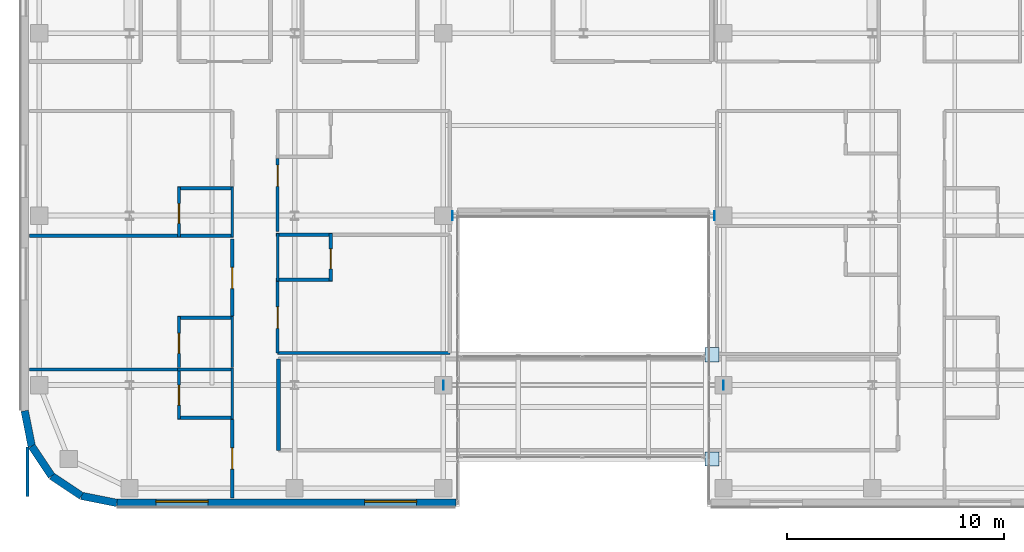
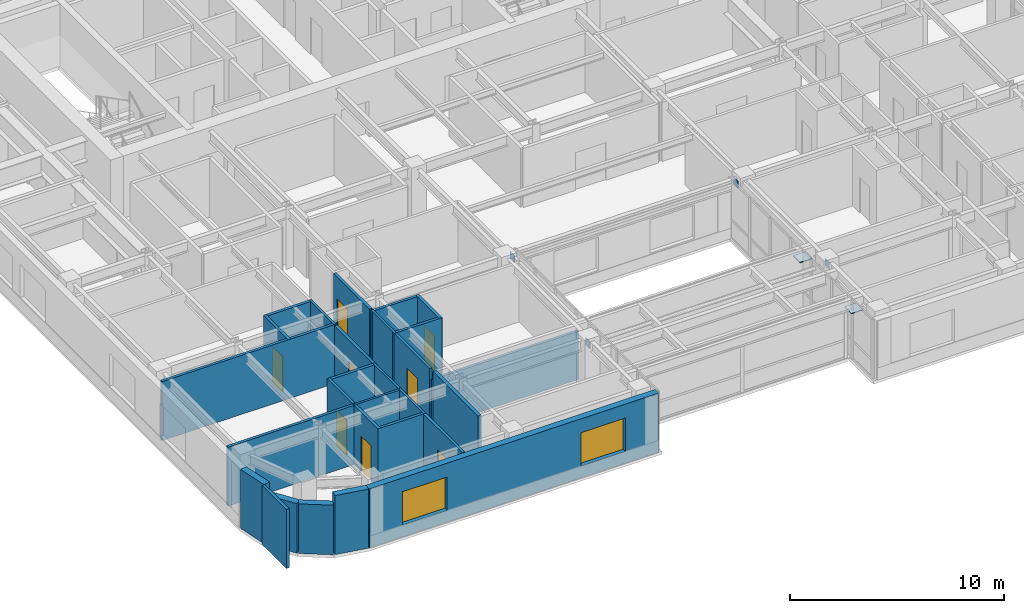
# One storey, part 15 of 26: 28 walls, 8 doors, 6 plates, 2 windows, 10 openings.
"""IFC4 building model written with IfcOpenShell, lengths in metres."""

from ifc_helpers import new_model, si_unit, direction, frame, frame_2d, origin, origin_2d, place, context, subcontext, project, spatial, rectangle, extrude, source, transform, mapped, material, layer, layer_set, type_object, type_shapes, element, fill, save


model = new_model("IFC4")

# Units and contexts
model_context = context("Model", 3, precision=1e-05, world=origin(), true_north=direction((0.0, 1.0)))
body_context = subcontext(model_context, "Body", "Model", "MODEL_VIEW")
ifc_project = project(units=[si_unit("LENGTHUNIT", "METRE"), si_unit("AREAUNIT", "SQUARE_METRE"), si_unit("VOLUMEUNIT", "CUBIC_METRE"), si_unit("PLANEANGLEUNIT", "RADIAN"), si_unit("MASSUNIT", "GRAM", prefix="KILO")], contexts=[model_context])

# Site, building, storey
site_placement = place(None, origin())
site = spatial("IfcSite", under=ifc_project, at=site_placement, CompositionType="ELEMENT")
building_placement = place(site_placement, origin())
building = spatial("IfcBuilding", under=site, at=building_placement, Name="Tolvann Quenvar Hotel", CompositionType="ELEMENT")
storey_placement = place(building_placement, frame((0.0, 0.0, 168.35009765625)))
storey = spatial("IfcBuildingStorey", under=building, at=storey_placement, Name="L44", CompositionType="ELEMENT", Elevation=168.35009765625)

# Plates
ifc_material_1 = material(Name="Steel Grade 350", Category="steel")
ifc_layer_1 = layer(ifc_material_1, 0.050048828125)
ifc_layer_set_1 = layer_set([ifc_layer_1], Name="Steel Grade 350")
plate_type_1 = type_object("IfcPlateType", Name="PLT_BASE_50", PredefinedType="SHEET", material=ifc_layer_set_1)
shared_shape_1 = source(origin(), body_context, "Body", "SweptSolid", [
    extrude(rectangle(XDim=0.64990234375, YDim=0.64990234375, at=origin_2d()), origin(), (0.0, 0.0, 1.0), 0.050048828125),
])
type_shapes(plate_type_1, [shared_shape_1])
for number, where, z_axis, x_axis, name in (
    (1, (34.425048828125, 4.800048828125, 2.7080078125), (0.0, 0.0, 1.0), (1.0, 0.0, 0.0), "Skybridge PTFE Sliding Bearing Seat Plate 650mm (L45-S)"),
    (2, (34.425048828125, 9.60009765625, 2.7080078125), (0.0, 0.0, 1.0), (1.0, 0.0, 0.0), "Skybridge PTFE Sliding Bearing Seat Plate 650mm (L45-N)"),
):
    element("IfcPlate", number, at=place(storey_placement, frame(where, z_axis=z_axis, x_axis=x_axis)), inside=storey, type_object=plate_type_1, Name=name, PredefinedType="SHEET", context=body_context, shape_type="MappedRepresentation", body=[
        mapped(shared_shape_1, transform((0.0, 0.0, 0.0), x_axis=(1.0, 0.0, 0.0), y_axis=(0.0, 1.0, 0.0), z_axis=(0.0, 0.0, 1.0), scale=1.0)),
    ])
ifc_layer_2 = layer(ifc_material_1, 0.02490234375)
ifc_layer_set_2 = layer_set([ifc_layer_2], Name="Steel Grade 350")
plate_type_2 = type_object("IfcPlateType", Name="PLT_ENDCAP_25", PredefinedType="SHEET", material=ifc_layer_set_2)
shared_shape_2 = source(origin(), body_context, "Body", "SweptSolid", [
    extrude(rectangle(XDim=0.02490234375, YDim=0.419921875, at=origin_2d()), origin(), (0.0, 0.0, 1.0), 0.419921875),
])
type_shapes(plate_type_2, [shared_shape_2])
for number, where, z_axis, x_axis, name in (
    (3, (22.050048828125, 8.199951171875, 2.81005859375), (0.0, 0.0, 1.0), (1.0, 0.0, 0.0), "Skybridge Tie End Plate EC-1 (L44-1)"),
    (4, (22.465087890625, 16.0, 2.85986328125), (0.0, 0.0, 1.0), (1.0, 0.0, 0.0), "Atrium Girt End Plate EC-1 (L44-1)"),
    (5, (34.949951171875, 8.199951171875, 2.81005859375), (0.0, 0.0, 1.0), (1.0, 0.0, 0.0), "Skybridge Tie End Plate EC-1 (L44-2)"),
    (6, (34.534912109375, 16.0, 2.85986328125), (0.0, 0.0, 1.0), (1.0, 0.0, 0.0), "Atrium Girt End Plate EC-1 (L44-2)"),
):
    element("IfcPlate", number, at=place(storey_placement, frame(where, z_axis=z_axis, x_axis=x_axis)), inside=storey, type_object=plate_type_2, Name=name, PredefinedType="SHEET", context=body_context, shape_type="MappedRepresentation", body=[
        mapped(shared_shape_2, transform((0.0, 0.0, 0.0), x_axis=(1.0, 0.0, 0.0), y_axis=(0.0, 1.0, 0.0), z_axis=(0.0, 0.0, 1.0), scale=1.0)),
    ])

# Walls
ifc_material_2 = material(Name="Kiln-fired red and buff architectural clay brickwork and terracotta masonry", Category="masonry")
ifc_layer_3 = layer(ifc_material_2, 0.35009765625)
ifc_layer_set_3 = layer_set([ifc_layer_3], Name="Kiln-fired red and buff architectural clay brickwork and terracotta masonry")
wall_type_1 = type_object("IfcWallType", Name="WALL_EXT_BRICK_350", PredefinedType="SOLIDWALL", material=ifc_layer_set_3)
for number, where, z_axis, x_axis, name in (
    (7, (3.099609375, 5.384521484375, 0.0), (0.0, 0.0, 1.0), (0.555623290322, -0.831434158098, 0.0), "Exterior Chicago Brick Wall L44-E01"),
    (8, (4.014892578125, 4.014892578125, 0.0), (0.0, 0.0, 1.0), (0.831434158098, -0.555623290322, 0.0), "Exterior Chicago Brick Wall L44-E02"),
):
    element("IfcWall", number, at=place(storey_placement, frame(where, z_axis=z_axis, x_axis=x_axis)), inside=storey, type_object=wall_type_1, Name=name, PredefinedType="SOLIDWALL", context=body_context, shape_type="SweptSolid", body=[
        extrude(rectangle(XDim=1.647216796875, YDim=0.35009765625, at=frame_2d((0.82373046875, 0.0))), origin(), (0.0, 0.0, 1.0), 2.831787109375),
    ])
wall_1_placement = place(storey_placement, frame((5.384521484375, 3.099609375, 0.0), z_axis=(0.0, 0.0, 1.0), x_axis=(0.980788844421, -0.195072403631, 0.0)))
element("IfcWall", 9, at=wall_1_placement, inside=storey, type_object=wall_type_1, Name="Exterior Chicago Brick Wall L44-E03", PredefinedType="SOLIDWALL", context=body_context, shape_type="SweptSolid", body=[
    extrude(rectangle(XDim=1.66455078125, YDim=0.35009765625, at=frame_2d((0.832275390625, 0.0))), origin(), (0.0, 0.0, 1.0), 3.369873046875),
])

# Wall, openings, windows
wall_2_placement = place(storey_placement, frame((7.01708984375, 2.77490234375, 0.0), z_axis=(0.0, 0.0, 1.0), x_axis=(1.0, 0.0, 0.0)))
wall_2 = element("IfcWall", 10, at=wall_2_placement, inside=storey, type_object=wall_type_1, Name="Exterior Chicago Brick Wall L44-E04", PredefinedType="SOLIDWALL", context=body_context, shape_type="SweptSolid", body=[
    extrude(rectangle(XDim=15.60791015625, YDim=0.35009765625, at=frame_2d((7.803955078125, 0.0))), origin(), (0.0, 0.0, 1.0), 3.369873046875),
])
opening_1_placement = place(wall_2_placement, frame((1.801025390625, 0.0, 0.679931640625)))
opening_1 = element("IfcOpeningElement", 11, at=opening_1_placement, cuts=wall_2, Name="Opening W-01", PredefinedType="OPENING", context=body_context, shape_type="SweptSolid", body=[
    extrude(rectangle(XDim=2.39990234375, YDim=1.89990234375, at=frame_2d((1.199951171875, 0.949951171875))), frame((0.0, 0.18505859375, 0.0), z_axis=(0.0, -1.0, 0.0), x_axis=(1.0, 0.0, 0.0)), (0.0, 0.0, 1.0), 0.3701171875),
])
opening_2_placement = place(wall_2_placement, frame((11.406982421875, 0.0, 0.679931640625)))
opening_2 = element("IfcOpeningElement", 12, at=opening_2_placement, cuts=wall_2, Name="Opening W-01", PredefinedType="OPENING", context=body_context, shape_type="SweptSolid", body=[
    extrude(rectangle(XDim=2.39990234375, YDim=1.89990234375, at=frame_2d((1.199951171875, 0.949951171875))), frame((0.0, 0.18505859375, 0.0), z_axis=(0.0, -1.0, 0.0), x_axis=(1.0, 0.0, 0.0)), (0.0, 0.0, 1.0), 0.3701171875),
])
ifc_material_3 = material(Name="Thermally broken bronze-anodised aluminium frame with double low-E glazing", Category="aluminium")
window_type = type_object("IfcWindowType", Name="WIN_CHI_2400x2050", PartitioningType="TRIPLE_PANEL_HORIZONTAL", PredefinedType="WINDOW", material=ifc_material_3)
shared_shape_3 = source(origin(), body_context, "Body", "SweptSolid", [
    extrude(rectangle(XDim=2.39990234375, YDim=1.89990234375, at=frame_2d((1.199951171875, 0.949951171875))), frame((0.0, 0.090087890625, 0.0), z_axis=(0.0, -1.0, 0.0), x_axis=(1.0, 0.0, 0.0)), (0.0, 0.0, 1.0), 0.06005859375),
])
type_shapes(window_type, [shared_shape_3])
window_1_placement = place(opening_1_placement, origin())
window_1 = element("IfcWindow", 13, at=window_1_placement, inside=storey, type_object=window_type, Name="Chicago Window W-01 (EW-L44-E04-W01)", OverallHeight=1.89990234375, OverallWidth=2.39990234375, PartitioningType="TRIPLE_PANEL_HORIZONTAL", PredefinedType="WINDOW", context=body_context, shape_type="MappedRepresentation", body=[
    mapped(shared_shape_3, transform((0.0, 0.0, 0.0), x_axis=(1.0, 0.0, 0.0), y_axis=(0.0, 1.0, 0.0), z_axis=(0.0, 0.0, 1.0), scale=1.0)),
])
fill(opening_1, window_1)
window_2_placement = place(opening_2_placement, origin())
window_2 = element("IfcWindow", 14, at=window_2_placement, inside=storey, type_object=window_type, Name="Chicago Window W-01 (EW-L44-E04-W02)", OverallHeight=1.89990234375, OverallWidth=2.39990234375, PartitioningType="TRIPLE_PANEL_HORIZONTAL", PredefinedType="WINDOW", context=body_context, shape_type="MappedRepresentation", body=[
    mapped(shared_shape_3, transform((0.0, 0.0, 0.0), x_axis=(1.0, 0.0, 0.0), y_axis=(0.0, 1.0, 0.0), z_axis=(0.0, 0.0, 1.0), scale=1.0)),
])
fill(opening_2, window_2)

# Walls
wall_3_placement = place(storey_placement, frame((2.77490234375, 7.01708984375, 0.0), z_axis=(0.0, 0.0, 1.0), x_axis=(0.195072403631, -0.980788844421, 0.0)))
element("IfcWall", 15, at=wall_3_placement, inside=storey, type_object=wall_type_1, Name="Exterior Chicago Brick Wall L44-E24", PredefinedType="SOLIDWALL", context=body_context, shape_type="SweptSolid", body=[
    extrude(rectangle(XDim=1.66455078125, YDim=0.35009765625, at=frame_2d((0.832275390625, 0.0))), origin(), (0.0, 0.0, 1.0), 3.369873046875),
])
ifc_material_4 = material(Name="Acoustic twin-stud fire-rated gypsum plasterboard partition")
ifc_layer_4 = layer(ifc_material_4, 0.179931640625)
ifc_layer_set_4 = layer_set([ifc_layer_4], Name="Acoustic twin-stud fire-rated gypsum plasterboard partition")
wall_type_2 = type_object("IfcWallType", Name="WALL_PART_ACOUSTIC_180", PredefinedType="PARTITIONING", material=ifc_layer_set_4)
wall_4_placement = place(storey_placement, frame((14.469970703125, 5.199951171875, 0.0), z_axis=(0.0, 0.0, 1.0), x_axis=(0.0, 1.0, 0.0)))
element("IfcWall", 16, at=wall_4_placement, inside=storey, type_object=wall_type_2, Name="Interior Partition PT-SPC-L44-BRG-W", PredefinedType="PARTITIONING", context=body_context, shape_type="SweptSolid", body=[
    extrude(rectangle(XDim=4.199951171875, YDim=0.179931640625, at=frame_2d((2.10009765625, 0.0))), origin(), (0.0, 0.0, 1.0), 3.369873046875),
])
ifc_material_5 = material(Name="Moisture-resistant acoustic plumbing wall assembly")
ifc_layer_5 = layer(ifc_material_5, 0.1201171875)
ifc_layer_set_5 = layer_set([ifc_layer_5], Name="Moisture-resistant acoustic plumbing wall assembly")
wall_type_3 = type_object("IfcWallType", Name="WALL_PART_BATH_120", PredefinedType="PLUMBINGWALL", material=ifc_layer_set_5)
wall_5_placement = place(storey_placement, frame((9.81005859375, 8.919921875, 0.0), z_axis=(0.0, 0.0, 1.0), x_axis=(1.0, 0.0, 0.0)))
element("IfcWall", 17, at=wall_5_placement, inside=storey, type_object=wall_type_3, Name="Non-Rated Plumbing Partition PT-SPC-L44-ENS-WO01-N", PredefinedType="PLUMBINGWALL", context=body_context, shape_type="SweptSolid", body=[
    extrude(rectangle(XDim=2.58984375, YDim=0.1201171875, at=frame_2d((1.294921875, 0.0))), origin(), (0.0, 0.0, 1.0), 3.369873046875),
])
for number, where, z_axis, x_axis, name in (
    (18, (12.330078125, 6.631103515625, 0.0), (0.0, 0.0, 1.0), (0.0, 1.0, 0.0), "Non-Rated Plumbing Partition PT-SPC-L44-ENS-WO01-E"),
    (19, (12.330078125, 9.010009765625, 0.0), (0.0, 0.0, 1.0), (0.0, 1.0, 0.0), "Non-Rated Plumbing Partition PT-SPC-L44-ENS-WO02-E"),
):
    element("IfcWall", number, at=place(storey_placement, frame(where, z_axis=z_axis, x_axis=x_axis)), inside=storey, type_object=wall_type_3, Name=name, PredefinedType="PLUMBINGWALL", context=body_context, shape_type="SweptSolid", body=[
        extrude(rectangle(XDim=2.35888671875, YDim=0.1201171875, at=frame_2d((1.179443359375, 0.0))), origin(), (0.0, 0.0, 1.0), 3.369873046875),
    ])
wall_6_placement = place(storey_placement, frame((12.330078125, 15.010009765625, 0.0), z_axis=(0.0, 0.0, 1.0), x_axis=(0.0, 1.0, 0.0)))
element("IfcWall", 20, at=wall_6_placement, inside=storey, type_object=wall_type_3, Name="Non-Rated Plumbing Partition PT-SPC-L44-ENS-WO03-E", PredefinedType="PLUMBINGWALL", context=body_context, shape_type="SweptSolid", body=[
    extrude(rectangle(XDim=2.321044921875, YDim=0.1201171875, at=frame_2d((1.16064453125, 0.0))), origin(), (0.0, 0.0, 1.0), 3.369873046875),
])
wall_7_placement = place(storey_placement, frame((14.419921875, 12.98291015625, 0.0), z_axis=(0.0, 0.0, 1.0), x_axis=(0.0, 1.0, 0.0)))
element("IfcWall", 21, at=wall_7_placement, inside=storey, type_object=wall_type_3, Name="Non-Rated Plumbing Partition PT-SPC-L44-ENS-WI01-W", PredefinedType="PLUMBINGWALL", context=body_context, shape_type="SweptSolid", body=[
    extrude(rectangle(XDim=2.20703125, YDim=0.1201171875, at=frame_2d((1.103515625, 0.0))), origin(), (0.0, 0.0, 1.0), 3.369873046875),
])

# Wall, opening, door
ifc_layer_6 = layer(ifc_material_4, 0.14990234375)
ifc_layer_set_6 = layer_set([ifc_layer_6], Name="Acoustic twin-stud fire-rated gypsum plasterboard partition")
wall_type_4 = type_object("IfcWallType", Name="WALL_PART_SUITE_150", PredefinedType="PARTITIONING", material=ifc_layer_set_6)
wall_8_placement = place(storey_placement, frame((9.8798828125, 6.631103515625, 0.0), z_axis=(0.0, 0.0, 1.0), x_axis=(0.0, 1.0, 0.0)))
wall_8 = element("IfcWall", 22, at=wall_8_placement, inside=storey, type_object=wall_type_4, Name="Interior Partition PT-SPC-L44-ENS-WO01-ENT", PredefinedType="PARTITIONING", context=body_context, shape_type="SweptSolid", body=[
    extrude(rectangle(XDim=2.35888671875, YDim=0.14990234375, at=frame_2d((1.179443359375, 0.0))), origin(), (0.0, 0.0, 1.0), 3.369873046875),
])
opening_3_placement = place(wall_8_placement, frame((0.6494140625, 0.0, 0.0)))
opening_3 = element("IfcOpeningElement", 23, at=opening_3_placement, cuts=wall_8, Name="Opening WD-01", PredefinedType="OPENING", context=body_context, shape_type="SweptSolid", body=[
    extrude(rectangle(XDim=0.919921875, YDim=2.010009765625, at=frame_2d((0.4599609375, 1.0048828125))), frame((0.0, 0.0849609375, 0.0), z_axis=(0.0, -1.0, 0.0), x_axis=(1.0, 0.0, 0.0)), (0.0, 0.0, 1.0), 0.169921875),
])
ifc_material_6 = material(Name="Solid-core American oak acoustic fire door leaf in steel frame", Category="steel")
door_type_1 = type_object("IfcDoorType", Name="DOOR_WC_920", OperationType="NOTDEFINED", PredefinedType="DOOR", material=ifc_material_6)
shared_shape_4 = source(origin(), body_context, "Body", "SweptSolid", [
    extrude(rectangle(XDim=0.919921875, YDim=2.010009765625, at=frame_2d((0.4599609375, 1.0048828125))), frame((0.0, 0.02490234375, 0.0), z_axis=(0.0, -1.0, 0.0), x_axis=(1.0, 0.0, 0.0)), (0.0, 0.0, 1.0), 0.050048828125),
])
type_shapes(door_type_1, [shared_shape_4])
door_1_placement = place(opening_3_placement, origin())
door_1 = element("IfcDoor", 24, at=door_1_placement, inside=storey, type_object=door_type_1, Name="Interior Door DOOR-SPC-L44-ENS-WO01", OperationType="SINGLE_SWING_LEFT", OverallHeight=2.010009765625, OverallWidth=0.919921875, PredefinedType="DOOR", context=body_context, shape_type="MappedRepresentation", body=[
    mapped(shared_shape_4, transform((0.0, 0.0, 0.0), x_axis=(1.0, 0.0, 0.0), y_axis=(0.0, 1.0, 0.0), z_axis=(0.0, 0.0, 1.0), scale=1.0)),
])
fill(opening_3, door_1)

# Wall
wall_9_placement = place(storey_placement, frame((9.81005859375, 6.700927734375, 0.0), z_axis=(0.0, 0.0, 1.0), x_axis=(1.0, 0.0, 0.0)))
element("IfcWall", 25, at=wall_9_placement, inside=storey, type_object=wall_type_4, Name="Interior Partition PT-SPC-L44-ENS-WO01-S", PredefinedType="PARTITIONING", context=body_context, shape_type="SweptSolid", body=[
    extrude(rectangle(XDim=2.58984375, YDim=0.14990234375, at=frame_2d((1.294921875, 0.0))), origin(), (0.0, 0.0, 1.0), 3.369873046875),
])

# Wall, opening, door
wall_10_placement = place(storey_placement, frame((9.8798828125, 9.010009765625, 0.0), z_axis=(0.0, 0.0, 1.0), x_axis=(0.0, 1.0, 0.0)))
wall_10 = element("IfcWall", 26, at=wall_10_placement, inside=storey, type_object=wall_type_4, Name="Interior Partition PT-SPC-L44-ENS-WO02-ENT", PredefinedType="PARTITIONING", context=body_context, shape_type="SweptSolid", body=[
    extrude(rectangle(XDim=2.35888671875, YDim=0.14990234375, at=frame_2d((1.179443359375, 0.0))), origin(), (0.0, 0.0, 1.0), 3.369873046875),
])
opening_4_placement = place(wall_10_placement, frame((0.6494140625, 0.0, 0.0)))
opening_4 = element("IfcOpeningElement", 27, at=opening_4_placement, cuts=wall_10, Name="Opening WD-01", PredefinedType="OPENING", context=body_context, shape_type="SweptSolid", body=[
    extrude(rectangle(XDim=0.919921875, YDim=2.010009765625, at=frame_2d((0.4599609375, 1.0048828125))), frame((0.0, 0.0849609375, 0.0), z_axis=(0.0, -1.0, 0.0), x_axis=(1.0, 0.0, 0.0)), (0.0, 0.0, 1.0), 0.169921875),
])
door_2_placement = place(opening_4_placement, origin())
door_2 = element("IfcDoor", 28, at=door_2_placement, inside=storey, type_object=door_type_1, Name="Interior Door DOOR-SPC-L44-ENS-WO02", OperationType="SINGLE_SWING_RIGHT", OverallHeight=2.010009765625, OverallWidth=0.919921875, PredefinedType="DOOR", context=body_context, shape_type="MappedRepresentation", body=[
    mapped(shared_shape_4, transform((0.0, 0.0, 0.0), x_axis=(1.0, 0.0, 0.0), y_axis=(0.0, 1.0, 0.0), z_axis=(0.0, 0.0, 1.0), scale=1.0)),
])
fill(opening_4, door_2)

# Wall
wall_11_placement = place(storey_placement, frame((9.81005859375, 11.299072265625, 0.0), z_axis=(0.0, 0.0, 1.0), x_axis=(1.0, 0.0, 0.0)))
element("IfcWall", 29, at=wall_11_placement, inside=storey, type_object=wall_type_4, Name="Interior Partition PT-SPC-L44-ENS-WO02-N", PredefinedType="PARTITIONING", context=body_context, shape_type="SweptSolid", body=[
    extrude(rectangle(XDim=2.58984375, YDim=0.14990234375, at=frame_2d((1.294921875, 0.0))), origin(), (0.0, 0.0, 1.0), 3.369873046875),
])

# Wall, opening, door
wall_12_placement = place(storey_placement, frame((9.8798828125, 15.010009765625, 0.0), z_axis=(0.0, 0.0, 1.0), x_axis=(0.0, 1.0, 0.0)))
wall_12 = element("IfcWall", 30, at=wall_12_placement, inside=storey, type_object=wall_type_4, Name="Interior Partition PT-SPC-L44-ENS-WO03-ENT", PredefinedType="PARTITIONING", context=body_context, shape_type="SweptSolid", body=[
    extrude(rectangle(XDim=2.321044921875, YDim=0.14990234375, at=frame_2d((1.16064453125, 0.0))), origin(), (0.0, 0.0, 1.0), 3.369873046875),
])
opening_5_placement = place(wall_12_placement, frame((0.630615234375, 0.0, 0.0)))
opening_5 = element("IfcOpeningElement", 31, at=opening_5_placement, cuts=wall_12, Name="Opening WD-01", PredefinedType="OPENING", context=body_context, shape_type="SweptSolid", body=[
    extrude(rectangle(XDim=0.919921875, YDim=2.010009765625, at=frame_2d((0.4599609375, 1.0048828125))), frame((0.0, 0.0849609375, 0.0), z_axis=(0.0, -1.0, 0.0), x_axis=(1.0, 0.0, 0.0)), (0.0, 0.0, 1.0), 0.169921875),
])
door_3_placement = place(opening_5_placement, origin())
door_3 = element("IfcDoor", 32, at=door_3_placement, inside=storey, type_object=door_type_1, Name="Interior Door DOOR-SPC-L44-ENS-WO03", OperationType="SINGLE_SWING_LEFT", OverallHeight=2.010009765625, OverallWidth=0.919921875, PredefinedType="DOOR", context=body_context, shape_type="MappedRepresentation", body=[
    mapped(shared_shape_4, transform((0.0, 0.0, 0.0), x_axis=(1.0, 0.0, 0.0), y_axis=(0.0, 1.0, 0.0), z_axis=(0.0, 0.0, 1.0), scale=1.0)),
])
fill(opening_5, door_3)

# Walls
wall_13_placement = place(storey_placement, frame((3.0048828125, 15.080078125, 0.0), z_axis=(0.0, 0.0, 1.0), x_axis=(1.0, 0.0, 0.0)))
element("IfcWall", 33, at=wall_13_placement, inside=storey, type_object=wall_type_4, Name="Interior Partition PT-SPC-L44-ENS-WO03-S", PredefinedType="PARTITIONING", context=body_context, shape_type="SweptSolid", body=[
    extrude(rectangle(XDim=9.39501953125, YDim=0.14990234375, at=frame_2d((4.697509765625, 0.0))), origin(), (0.0, 0.0, 1.0), 3.369873046875),
])
wall_14_placement = place(storey_placement, frame((9.81005859375, 17.260986328125, 0.0), z_axis=(0.0, 0.0, 1.0), x_axis=(1.0, 0.0, 0.0)))
element("IfcWall", 34, at=wall_14_placement, inside=storey, type_object=wall_type_4, Name="Interior Partition PT-SPC-L44-ENS-WO03-N", PredefinedType="PARTITIONING", context=body_context, shape_type="SweptSolid", body=[
    extrude(rectangle(XDim=2.58984375, YDim=0.14990234375, at=frame_2d((1.294921875, 0.0))), origin(), (0.0, 0.0, 1.0), 3.369873046875),
])

# Wall, opening, door
wall_15_placement = place(storey_placement, frame((16.8701171875, 12.98291015625, 0.0), z_axis=(0.0, 0.0, 1.0), x_axis=(0.0, 1.0, 0.0)))
wall_15 = element("IfcWall", 35, at=wall_15_placement, inside=storey, type_object=wall_type_4, Name="Interior Partition PT-SPC-L44-ENS-WI01-ENT", PredefinedType="PARTITIONING", context=body_context, shape_type="SweptSolid", body=[
    extrude(rectangle(XDim=2.20703125, YDim=0.14990234375, at=frame_2d((1.103515625, 0.0))), origin(), (0.0, 0.0, 1.0), 3.369873046875),
])
opening_6_placement = place(wall_15_placement, frame((0.573486328125, 0.0, 0.0)))
opening_6 = element("IfcOpeningElement", 36, at=opening_6_placement, cuts=wall_15, Name="Opening WD-01", PredefinedType="OPENING", context=body_context, shape_type="SweptSolid", body=[
    extrude(rectangle(XDim=0.919921875, YDim=2.010009765625, at=frame_2d((0.4599609375, 1.0048828125))), frame((0.0, 0.0849609375, 0.0), z_axis=(0.0, -1.0, 0.0), x_axis=(1.0, 0.0, 0.0)), (0.0, 0.0, 1.0), 0.169921875),
])
door_4_placement = place(opening_6_placement, origin())
door_4 = element("IfcDoor", 37, at=door_4_placement, inside=storey, type_object=door_type_1, Name="Interior Door DOOR-SPC-L44-ENS-WI01", OperationType="SINGLE_SWING_RIGHT", OverallHeight=2.010009765625, OverallWidth=0.919921875, PredefinedType="DOOR", context=body_context, shape_type="MappedRepresentation", body=[
    mapped(shared_shape_4, transform((0.0, 0.0, 0.0), x_axis=(1.0, 0.0, 0.0), y_axis=(0.0, 1.0, 0.0), z_axis=(0.0, 0.0, 1.0), scale=1.0)),
])
fill(opening_6, door_4)

# Walls
for number, where, z_axis, x_axis, name in (
    (38, (14.35009765625, 13.052978515625, 0.0), (0.0, 0.0, 1.0), (1.0, 0.0, 0.0), "Interior Partition PT-SPC-L44-ENS-WI01-S"),
    (39, (14.35009765625, 15.1201171875, 0.0), (0.0, 0.0, 1.0), (1.0, 0.0, 0.0), "Interior Partition PT-SPC-L44-ENS-WI01-N"),
):
    element("IfcWall", number, at=place(storey_placement, frame(where, z_axis=z_axis, x_axis=x_axis)), inside=storey, type_object=wall_type_4, Name=name, PredefinedType="PARTITIONING", context=body_context, shape_type="SweptSolid", body=[
        extrude(rectangle(XDim=2.58984375, YDim=0.14990234375, at=frame_2d((1.294921875, 0.0))), origin(), (0.0, 0.0, 1.0), 3.369873046875),
    ])

# Wall, opening, door
wall_16_placement = place(storey_placement, frame((12.330078125, 3.0048828125, 0.0), z_axis=(0.0, 0.0, 1.0), x_axis=(0.0, 1.0, 0.0)))
wall_16 = element("IfcWall", 40, at=wall_16_placement, inside=storey, type_object=wall_type_4, Name="Interior Partition PT-SPC-L44-RM-WO01-ENT", PredefinedType="PARTITIONING", context=body_context, shape_type="SweptSolid", body=[
    extrude(rectangle(XDim=3.6162109375, YDim=0.14990234375, at=frame_2d((1.80810546875, 0.0))), origin(), (0.0, 0.0, 1.0), 3.369873046875),
])
opening_7_placement = place(wall_16_placement, frame((1.325439453125, 0.0, 0.0)))
opening_7 = element("IfcOpeningElement", 41, at=opening_7_placement, cuts=wall_16, Name="Opening SD-01", PredefinedType="OPENING", context=body_context, shape_type="SweptSolid", body=[
    extrude(rectangle(XDim=0.97998046875, YDim=2.1201171875, at=frame_2d((0.489990234375, 1.06005859375))), frame((0.0, 0.0849609375, 0.0), z_axis=(0.0, -1.0, 0.0), x_axis=(1.0, 0.0, 0.0)), (0.0, 0.0, 1.0), 0.169921875),
])
door_type_2 = type_object("IfcDoorType", Name="DOOR_SUITE_980", OperationType="NOTDEFINED", PredefinedType="DOOR", material=ifc_material_6)
shared_shape_5 = source(origin(), body_context, "Body", "SweptSolid", [
    extrude(rectangle(XDim=0.97998046875, YDim=2.1201171875, at=frame_2d((0.489990234375, 1.06005859375))), frame((0.0, 0.02490234375, 0.0), z_axis=(0.0, -1.0, 0.0), x_axis=(1.0, 0.0, 0.0)), (0.0, 0.0, 1.0), 0.050048828125),
])
type_shapes(door_type_2, [shared_shape_5])
door_5_placement = place(opening_7_placement, origin())
door_5 = element("IfcDoor", 42, at=door_5_placement, inside=storey, type_object=door_type_2, Name="Interior Door DOOR-SPC-L44-RM-WO01", OperationType="SINGLE_SWING_RIGHT", OverallHeight=2.1201171875, OverallWidth=0.97998046875, PredefinedType="DOOR", context=body_context, shape_type="MappedRepresentation", body=[
    mapped(shared_shape_5, transform((0.0, 0.0, 0.0), x_axis=(1.0, 0.0, 0.0), y_axis=(0.0, 1.0, 0.0), z_axis=(0.0, 0.0, 1.0), scale=1.0)),
])
fill(opening_7, door_5)

# Walls
wall_17_placement = place(storey_placement, frame((3.0048828125, 8.919921875, 0.0), z_axis=(0.0, 0.0, 1.0), x_axis=(1.0, 0.0, 0.0)))
element("IfcWall", 43, at=wall_17_placement, inside=storey, type_object=wall_type_4, Name="Interior Partition PT-SPC-L44-RM-WO01-E5", PredefinedType="PARTITIONING", context=body_context, shape_type="SweptSolid", body=[
    extrude(rectangle(XDim=6.855224609375, YDim=0.14990234375, at=frame_2d((3.427734375, 0.0))), origin(), (0.0, 0.0, 1.0), 3.369873046875),
])
wall_18_placement = place(storey_placement, frame((2.89990234375, 3.080078125, 0.0), z_axis=(0.0, 0.0, 1.0), x_axis=(0.0, 1.0, 0.0)))
element("IfcWall", 44, at=wall_18_placement, inside=storey, type_object=wall_type_4, Name="Interior Partition PT-SPC-L44-RM-WO01-E6", PredefinedType="PARTITIONING", context=body_context, shape_type="SweptSolid", body=[
    extrude(rectangle(XDim=2.264892578125, YDim=0.14990234375, at=frame_2d((1.13232421875, 0.0))), origin(), (0.0, 0.0, 1.0), 3.369873046875),
])

# Wall, opening, door
wall_19_placement = place(storey_placement, frame((12.330078125, 11.37890625, 0.0), z_axis=(0.0, 0.0, 1.0), x_axis=(0.0, 1.0, 0.0)))
wall_19 = element("IfcWall", 45, at=wall_19_placement, inside=storey, type_object=wall_type_4, Name="Interior Partition PT-SPC-L44-RM-WO02-ENT", PredefinedType="PARTITIONING", context=body_context, shape_type="SweptSolid", body=[
    extrude(rectangle(XDim=3.541015625, YDim=0.14990234375, at=frame_2d((1.7705078125, 0.0))), origin(), (0.0, 0.0, 1.0), 3.369873046875),
])
opening_8_placement = place(wall_19_placement, frame((1.260498046875, 0.0, 0.0)))
opening_8 = element("IfcOpeningElement", 46, at=opening_8_placement, cuts=wall_19, Name="Opening SD-01", PredefinedType="OPENING", context=body_context, shape_type="SweptSolid", body=[
    extrude(rectangle(XDim=0.97998046875, YDim=2.1201171875, at=frame_2d((0.489990234375, 1.06005859375))), frame((0.0, 0.0849609375, 0.0), z_axis=(0.0, -1.0, 0.0), x_axis=(1.0, 0.0, 0.0)), (0.0, 0.0, 1.0), 0.169921875),
])
door_6_placement = place(opening_8_placement, origin())
door_6 = element("IfcDoor", 47, at=door_6_placement, inside=storey, type_object=door_type_2, Name="Interior Door DOOR-SPC-L44-RM-WO02", OperationType="SINGLE_SWING_LEFT", OverallHeight=2.1201171875, OverallWidth=0.97998046875, PredefinedType="DOOR", context=body_context, shape_type="MappedRepresentation", body=[
    mapped(shared_shape_5, transform((0.0, 0.0, 0.0), x_axis=(1.0, 0.0, 0.0), y_axis=(0.0, 1.0, 0.0), z_axis=(0.0, 0.0, 1.0), scale=1.0)),
])
fill(opening_8, door_6)

wall_20_placement = place(storey_placement, frame((14.419921875, 9.679931640625, 0.0), z_axis=(0.0, 0.0, 1.0), x_axis=(0.0, 1.0, 0.0)))
wall_20 = element("IfcWall", 48, at=wall_20_placement, inside=storey, type_object=wall_type_4, Name="Interior Partition PT-SPC-L44-RM-WI01-ENT", PredefinedType="PARTITIONING", context=body_context, shape_type="SweptSolid", body=[
    extrude(rectangle(XDim=3.29296875, YDim=0.14990234375, at=frame_2d((1.646484375, 0.0))), origin(), (0.0, 0.0, 1.0), 3.369873046875),
])
opening_9_placement = place(wall_20_placement, frame((1.136474609375, 0.0, 0.0)))
opening_9 = element("IfcOpeningElement", 49, at=opening_9_placement, cuts=wall_20, Name="Opening SD-01", PredefinedType="OPENING", context=body_context, shape_type="SweptSolid", body=[
    extrude(rectangle(XDim=0.97998046875, YDim=2.1201171875, at=frame_2d((0.489990234375, 1.06005859375))), frame((0.0, 0.0849609375, 0.0), z_axis=(0.0, -1.0, 0.0), x_axis=(1.0, 0.0, 0.0)), (0.0, 0.0, 1.0), 0.169921875),
])
door_7_placement = place(opening_9_placement, origin())
door_7 = element("IfcDoor", 50, at=door_7_placement, inside=storey, type_object=door_type_2, Name="Interior Door DOOR-SPC-L44-RM-WI01", OperationType="SINGLE_SWING_LEFT", OverallHeight=2.1201171875, OverallWidth=0.97998046875, PredefinedType="DOOR", context=body_context, shape_type="MappedRepresentation", body=[
    mapped(shared_shape_5, transform((0.0, 0.0, 0.0), x_axis=(1.0, 0.0, 0.0), y_axis=(0.0, 1.0, 0.0), z_axis=(0.0, 0.0, 1.0), scale=1.0)),
])
fill(opening_9, door_7)

# Wall
wall_21_placement = place(storey_placement, frame((14.419921875, 9.679931640625, 0.0), z_axis=(0.0, 0.0, 1.0), x_axis=(1.0, 0.0, 0.0)))
element("IfcWall", 51, at=wall_21_placement, inside=storey, type_object=wall_type_4, Name="Interior Partition PT-SPC-L44-RM-WI01-E1", PredefinedType="PARTITIONING", context=body_context, shape_type="SweptSolid", body=[
    extrude(rectangle(XDim=7.93017578125, YDim=0.14990234375, at=frame_2d((3.965087890625, 0.0))), origin(), (0.0, 0.0, 1.0), 2.747802734375),
])

# Wall, opening, door
wall_22_placement = place(storey_placement, frame((14.419921875, 15.280029296875, 0.0), z_axis=(0.0, 0.0, 1.0), x_axis=(0.0, 1.0, 0.0)))
wall_22 = element("IfcWall", 52, at=wall_22_placement, inside=storey, type_object=wall_type_4, Name="Interior Partition PT-SPC-L44-RM-WI02-ENT", PredefinedType="PARTITIONING", context=body_context, shape_type="SweptSolid", body=[
    extrude(rectangle(XDim=3.35498046875, YDim=0.14990234375, at=frame_2d((1.677490234375, 0.0))), origin(), (0.0, 0.0, 1.0), 3.369873046875),
])
opening_10_placement = place(wall_22_placement, frame((2.06494140625, 0.0, 0.0)))
opening_10 = element("IfcOpeningElement", 53, at=opening_10_placement, cuts=wall_22, Name="Opening SD-01", PredefinedType="OPENING", context=body_context, shape_type="SweptSolid", body=[
    extrude(rectangle(XDim=0.97998046875, YDim=2.1201171875, at=frame_2d((0.489990234375, 1.06005859375))), frame((0.0, 0.0849609375, 0.0), z_axis=(0.0, -1.0, 0.0), x_axis=(1.0, 0.0, 0.0)), (0.0, 0.0, 1.0), 0.169921875),
])
door_8_placement = place(opening_10_placement, origin())
door_8 = element("IfcDoor", 54, at=door_8_placement, inside=storey, type_object=door_type_2, Name="Interior Door DOOR-SPC-L44-RM-WI02", OperationType="SINGLE_SWING_RIGHT", OverallHeight=2.1201171875, OverallWidth=0.97998046875, PredefinedType="DOOR", context=body_context, shape_type="MappedRepresentation", body=[
    mapped(shared_shape_5, transform((0.0, 0.0, 0.0), x_axis=(1.0, 0.0, 0.0), y_axis=(0.0, 1.0, 0.0), z_axis=(0.0, 0.0, 1.0), scale=1.0)),
])
fill(opening_10, door_8)

save(model, "model.ifc")
